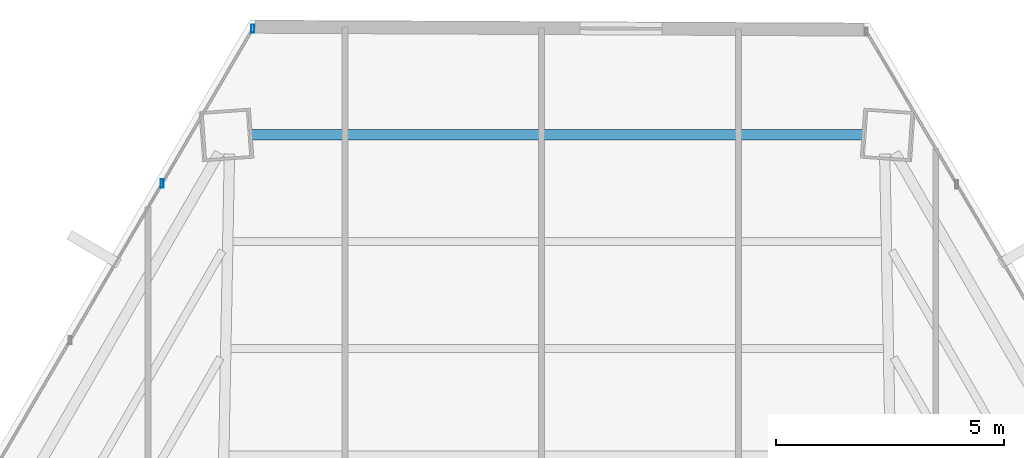
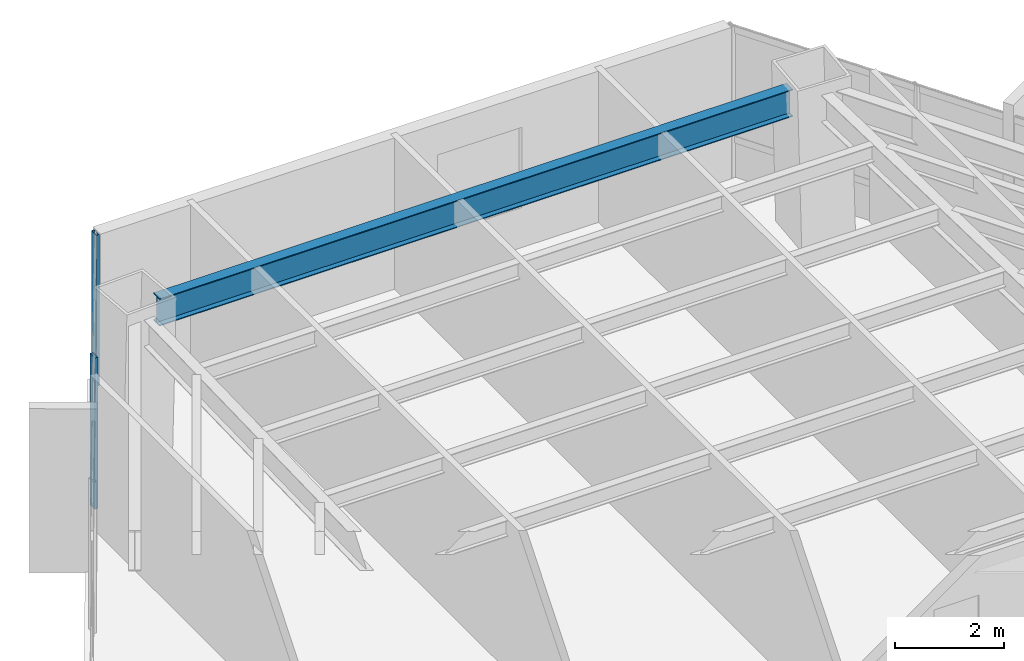
# One storey, part 26 of 36: 2 members, 1 beam, 1 element without a shape of its own.
"""IFC4 building model written with IfcOpenShell, lengths in metres."""

from ifc_helpers import new_model, si_unit, direction, frame, origin, origin_2d, place, context, subcontext, project, spatial, hollow_rectangle, i_section, extrude, source, transform, mapped, material, material_profile, profile_set, type_object, type_shapes, element, aggregate, save


model = new_model("IFC4")

# Units and contexts
model_context = context("Model", 3, precision=1e-05, world=origin(), true_north=direction((0.0, 1.0)))
body_context = subcontext(model_context, "Body", "Model", "MODEL_VIEW")
ifc_project = project(units=[si_unit("LENGTHUNIT", "METRE"), si_unit("AREAUNIT", "SQUARE_METRE"), si_unit("VOLUMEUNIT", "CUBIC_METRE"), si_unit("PLANEANGLEUNIT", "RADIAN"), si_unit("MASSUNIT", "GRAM", prefix="KILO")], contexts=[model_context])

# Site, building, storey
site_placement = place(None, origin())
site = spatial("IfcSite", under=ifc_project, at=site_placement, CompositionType="ELEMENT")
building_placement = place(site_placement, origin())
building = spatial("IfcBuilding", under=site, at=building_placement, Name="Caelisora Broadcast Tower", CompositionType="ELEMENT")
storey_placement = place(building_placement, frame((0.0, 0.0, 112.699951171875)))
storey = spatial("IfcBuildingStorey", under=building, at=storey_placement, Name="L29", CompositionType="ELEMENT", Elevation=112.699951171875)

# Beam
ifc_material_1 = material(Name="Steel Grade 350 (AS/NZS 3679.1)", Category="steel")
ifc_material_profile_1 = material_profile(ifc_material_1, i_section(OverallWidth=0.22900390625, OverallDepth=0.611572265625, WebThickness=0.011962890625, FlangeThickness=0.01953125, at=origin_2d()), Name="Steel Grade 350 (AS/NZS 3679.1)")
ifc_profile_set_1 = profile_set([ifc_material_profile_1], Name="Steel Grade 350 (AS/NZS 3679.1)")
beam_type = type_object("IfcBeamType", Name="PG03", PredefinedType="BEAM", material=ifc_profile_set_1)
shared_shape_1 = source(origin(), body_context, "Body", "SweptSolid", [
    extrude(i_section(OverallWidth=0.22900390625, OverallDepth=0.611572265625, WebThickness=0.011962890625, FlangeThickness=0.01953125, at=origin_2d()), origin(), (0.0, 0.0, 1.0), 13.462890625),
])
type_shapes(beam_type, [shared_shape_1])
beam_placement = place(storey_placement, frame((44.7314453125, 46.42822265625, 3.09423828125), z_axis=(-1.0, 0.0, 0.0), x_axis=(0.0, -1.0, 0.0)))
element("IfcBeam", 1, at=beam_placement, inside=storey, type_object=beam_type, Name="L29 beam PG03", PredefinedType="BEAM", context=body_context, shape_type="MappedRepresentation", body=[
    mapped(shared_shape_1, transform((0.0, 0.0, 0.0), scale=1.0)),
])

# Curtain wall, members
ifc_material_2 = material(Name="Unitised Aluminium and Low-E Glass Curtain Wall", Category="glass")
curtain_wall_type = type_object("IfcCurtainWallType", Name="CW-Z2", PredefinedType="NOTDEFINED", material=ifc_material_2)
curtain_wall_placement = place(storey_placement, origin())
curtain_wall = element("IfcCurtainWall", 2, at=curtain_wall_placement, inside=storey, type_object=curtain_wall_type, Name="L29 curtain wall CW-Z2", PredefinedType="NOTDEFINED")
ifc_material_3 = material(Name="Aluminium 6063-T6 Anodised Terracotta Bronze", Category="aluminium")
ifc_material_profile_2 = material_profile(ifc_material_3, hollow_rectangle(XDim=0.06494140625, YDim=0.179931640625, WallThickness=0.00341796875, at=origin_2d()), Name="Aluminium 6063-T6 Anodised Terracotta Bronze")
ifc_profile_set_2 = profile_set([ifc_material_profile_2], Name="Aluminium 6063-T6 Anodised Terracotta Bronze")
member_type = type_object("IfcMemberType", Name="CWM-02", PredefinedType="MULLION", material=ifc_profile_set_2)
shared_shape_2 = source(origin(), body_context, "Body", "SweptSolid", [
    extrude(hollow_rectangle(XDim=0.06494140625, YDim=0.179931640625, WallThickness=0.00341796875, at=origin_2d()), origin(), (0.0, 0.0, 1.0), 3.400146484375),
])
type_shapes(member_type, [shared_shape_2])
member_1_placement = place(storey_placement, frame((29.31982421875, 45.3544921875, 0.0), z_axis=(0.0, 0.0, 1.0), x_axis=(1.0, 0.0, 0.0)))
member_1 = element("IfcMember", 3, at=member_1_placement, type_object=member_type, Name="L29-CW-B11 mullion #2", PredefinedType="MULLION", context=body_context, shape_type="MappedRepresentation", body=[
    mapped(shared_shape_2, transform((0.0, 0.0, 0.0), scale=1.0)),
])
member_2_placement = place(storey_placement, frame((31.312744140625, 48.755859375, 0.0), z_axis=(0.0, 0.0, 1.0), x_axis=(1.0, 0.0, 0.0)))
member_2 = element("IfcMember", 4, at=member_2_placement, type_object=member_type, Name="L29-CW-B11 mullion #3", PredefinedType="MULLION", context=body_context, shape_type="MappedRepresentation", body=[
    mapped(shared_shape_2, transform((0.0, 0.0, 0.0), scale=1.0)),
])
aggregate(curtain_wall, [member_1, member_2])

save(model, "model.ifc")
